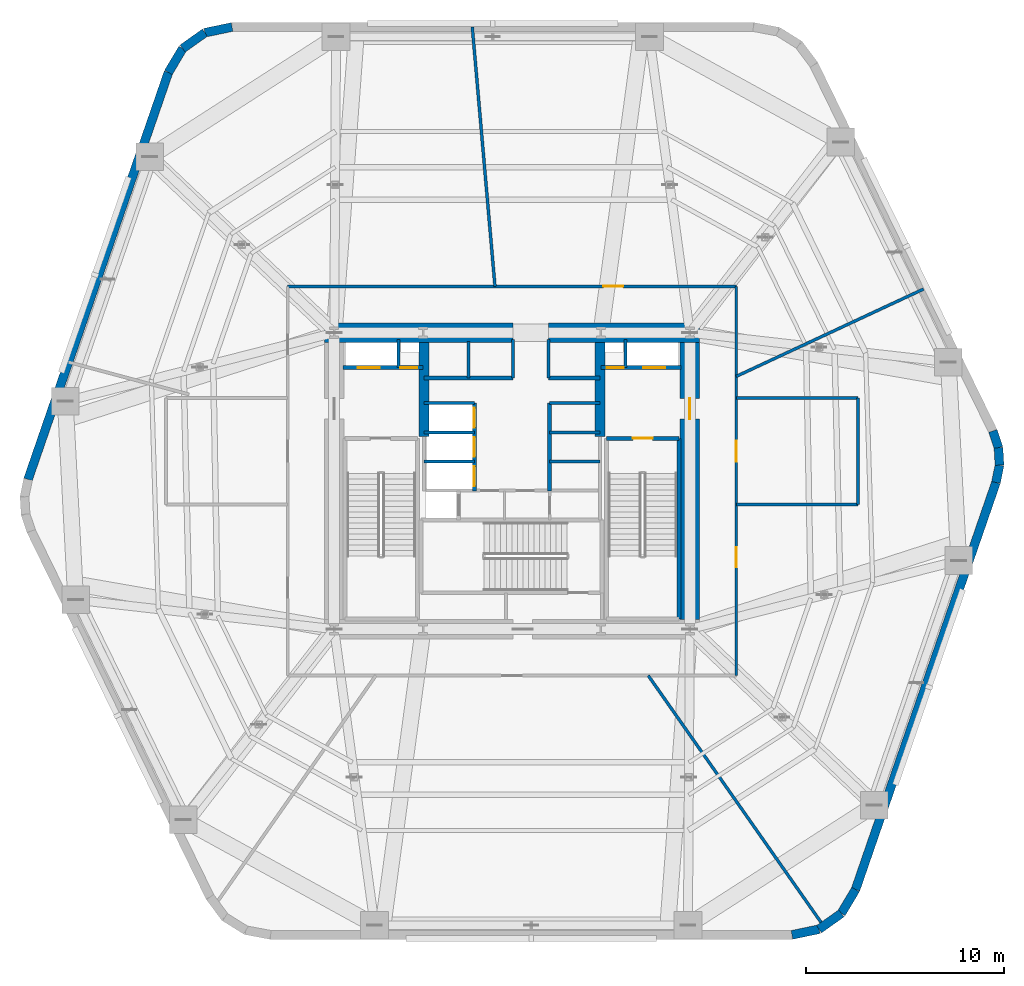
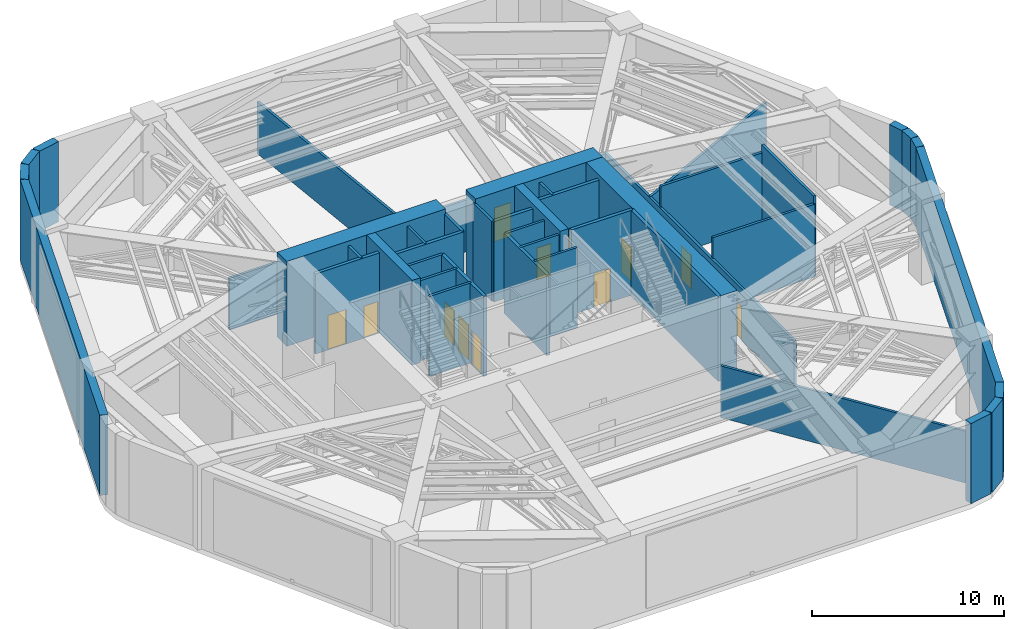
# One storey, part 7 of 11: 43 walls, 12 doors, 12 openings.
"""IFC4 building model written with IfcOpenShell, lengths in metres."""

import ifcopenshell
import ifcopenshell.guid

model = None  # the IFC model being written
_history = None  # IfcOwnerHistory: only IFC2X3 demands one
_inside = {}  # id of a spatial element -> (the spatial element, [elements in it])
_under = {}  # id of a project, library or spatial element -> (it, [spatial elements below it])
_declared = {}  # id of a project -> (the project, [libraries it declares])
_typed = {}  # id of a type object -> (the type object, [elements of that type])
_made_of = {}  # id of a material, layer set ... -> (it, [elements and type objects made of it])


def new_model(schema):
    """Start an empty IFC model of exactly this schema.

    Asked for "IFC4X3", IfcOpenShell would pick the latest addendum, in which some entities
    have other attributes; the version numbers below select the first issue.
    IFC2X3 requires an IfcOwnerHistory on every rooted entity: one is made here for all.
    """
    global model, _history
    if schema == "IFC4X3":
        model = ifcopenshell.file(schema_version=(4, 3, 0, 0))
    else:
        model = ifcopenshell.file(schema=schema)
    _inside.clear()
    _under.clear()
    _declared.clear()
    _typed.clear()
    _made_of.clear()
    _history = None
    if model.schema == "IFC2X3":
        org = make("IfcOrganization", Name="unknown")
        user = make(
            "IfcPersonAndOrganization",
            ThePerson=make("IfcPerson", FamilyName="unknown"),
            TheOrganization=org,
        )
        app = make(
            "IfcApplication",
            ApplicationDeveloper=org,
            Version="unknown",
            ApplicationFullName="unknown",
            ApplicationIdentifier="unknown",
        )
        _history = make(
            "IfcOwnerHistory",
            OwningUser=user,
            OwningApplication=app,
            ChangeAction="ADDED",
            CreationDate=0,
        )
    return model


def make(cls, **values):
    """One entity of the class cls with the attributes given. An attribute that is None is left unset."""
    return model.create_entity(
        cls, **{name: value for name, value in values.items() if value is not None}
    )


def rooted(cls, **values):
    """An entity with a GlobalId (a new one), such as an element, a storey or a relation."""
    return make(cls, GlobalId=ifcopenshell.guid.new(), OwnerHistory=_history, **values)


def si_unit(unit_type, name, prefix=None):
    """IfcSIUnit, for example si_unit("LENGTHUNIT", "METRE", prefix="MILLI")."""
    return make("IfcSIUnit", UnitType=unit_type, Prefix=prefix, Name=name)


def assignment(units):
    """IfcUnitAssignment: the units of a project."""
    return None if units is None else make("IfcUnitAssignment", Units=units)


def point(xyz):
    """IfcCartesianPoint."""
    return None if xyz is None else make("IfcCartesianPoint", Coordinates=xyz)


def direction(xyz):
    """IfcDirection."""
    return None if xyz is None else make("IfcDirection", DirectionRatios=xyz)


def frame(location, z_axis=None, x_axis=None):
    """IfcAxis2Placement3D, a coordinate frame: its origin and axes. An axis left out is left unset."""
    return make(
        "IfcAxis2Placement3D",
        Location=point(location),
        Axis=direction(z_axis),
        RefDirection=direction(x_axis),
    )


def frame_2d(location, x_axis=None):
    """IfcAxis2Placement2D, a coordinate frame in the plane: its origin and x axis."""
    return make(
        "IfcAxis2Placement2D", Location=point(location), RefDirection=direction(x_axis)
    )


def origin():
    """The frame at (0, 0, 0) with its axes left unset."""
    return frame((0.0, 0.0, 0.0))


def place(relative_to, where):
    """IfcLocalPlacement: puts the frame where relative to a parent placement (None: the world)."""
    return make(
        "IfcLocalPlacement", PlacementRelTo=relative_to, RelativePlacement=where
    )


def context(
    kind, dimensions, precision=None, world=None, true_north=None, identifier=None
):
    """IfcGeometricRepresentationContext, for example the 3D "Model" context."""
    return make(
        "IfcGeometricRepresentationContext",
        ContextIdentifier=identifier,
        ContextType=kind,
        CoordinateSpaceDimension=dimensions,
        Precision=precision,
        WorldCoordinateSystem=world,
        TrueNorth=true_north,
    )


def subcontext(parent, identifier, kind, view, scale=None):
    """IfcGeometricRepresentationSubContext, for example "Body" below "Model"."""
    return make(
        "IfcGeometricRepresentationSubContext",
        ContextIdentifier=identifier,
        ContextType=kind,
        ParentContext=parent,
        TargetScale=scale,
        TargetView=view,
    )


def project(units=None, contexts=None):
    """IfcProject with its units and contexts."""
    return rooted(
        "IfcProject",
        Name="project",
        RepresentationContexts=contexts,
        UnitsInContext=assignment(units),
    )


def spatial(cls, under=None, at=None, **own):
    """A site, building, storey or space (cls), placed at a placement, below another one or the project."""
    s = rooted(cls, ObjectPlacement=at, **own)
    if under is not None:
        _under.setdefault(under.id(), (under, []))[1].append(s)
    return s


def profile(cls, at=None, kind="AREA", **sizes):
    """A parametric profile (cls). Its sizes go by their IFC names, for example OverallWidth=200.0."""
    return make(cls, ProfileType=kind, Position=at, **sizes)


def rectangle(**sizes):
    """IfcRectangleProfileDef."""
    return profile("IfcRectangleProfileDef", **sizes)


def extrude(swept, where, along, depth):
    """IfcExtrudedAreaSolid: the profile swept, set in the frame where, extruded along a direction by depth."""
    return make(
        "IfcExtrudedAreaSolid",
        SweptArea=swept,
        Position=where,
        ExtrudedDirection=direction(along),
        Depth=depth,
    )


def shape(context_of_items, identifier, shape_type, items):
    """IfcShapeRepresentation: the items that make up one representation, for example the "Body"."""
    return make(
        "IfcShapeRepresentation",
        ContextOfItems=context_of_items,
        RepresentationIdentifier=identifier,
        RepresentationType=shape_type,
        Items=items,
    )


def material(Name=None, Category=None):
    """IfcMaterial."""
    return make("IfcMaterial", Name=Name, Category=Category)


def layer(
    of_material, thickness, ventilated=None, Name=None, Category=None, Priority=None
):
    """IfcMaterialLayer: one layer of a wall or slab, of a material (None: an air gap)."""
    return make(
        "IfcMaterialLayer",
        Material=of_material,
        LayerThickness=thickness,
        IsVentilated=ventilated,
        Name=Name,
        Category=Category,
        Priority=Priority,
    )


def layer_set(layers, Name=None):
    """IfcMaterialLayerSet."""
    return make("IfcMaterialLayerSet", MaterialLayers=layers, LayerSetName=Name)


def made_of(thing, what):
    """Note that an element or type object is made of a material, layer set ...; save() writes the relation."""
    if what is not None:
        _made_of.setdefault(what.id(), (what, []))[1].append(thing)
    return thing


def type_object(cls, material=None, **own):
    """A type object (cls), such as IfcWallType, which elements share."""
    return made_of(rooted(cls, **own), material)


def element(
    cls,
    number,
    at=None,
    inside=None,
    cuts=None,
    type_object=None,
    material=None,
    context=None,
    identifier="Body",
    shape_type=None,
    held_by="IfcProductDefinitionShape",
    body=None,
    shapes=None,
    **own,
):
    """One element of the class cls, such as IfcWall. Its Tag is "e" and its number.

    at: its placement. inside: the storey or other place that contains it. cuts: it is an
    opening in that element (IfcRelVoidsElement). A single representation is given by context,
    identifier, shape_type and body (its items); several are given by shapes. held_by: the class
    of the entity that holds the representations. save() writes the other relations.
    """
    e = rooted(cls, Tag="e%d" % number, ObjectPlacement=at, **own)
    if body is not None:
        shapes = [shape(context, identifier, shape_type, body)]
    if shapes is not None:
        e.Representation = make(held_by, Representations=shapes)
    if inside is not None:
        _inside.setdefault(inside.id(), (inside, []))[1].append(e)
    if cuts is not None:
        rooted(
            "IfcRelVoidsElement", RelatingBuildingElement=cuts, RelatedOpeningElement=e
        )
    if type_object is not None:
        _typed.setdefault(type_object.id(), (type_object, []))[1].append(e)
    return made_of(e, material)


def fill(opening, filler):
    """IfcRelFillsElement: the door or window that sits in an opening."""
    return rooted(
        "IfcRelFillsElement",
        RelatingOpeningElement=opening,
        RelatedBuildingElement=filler,
    )


def aggregate(whole, parts):
    """IfcRelAggregates: a whole, such as a stair, and the parts it consists of."""
    return rooted("IfcRelAggregates", RelatingObject=whole, RelatedObjects=parts)


def save(model, path):
    """Write the relations noted so far, then the file.

    IfcRelAggregates (storeys below a building ...), IfcRelContainedInSpatialStructure (elements
    in a storey), IfcRelDefinesByType, IfcRelAssociatesMaterial and IfcRelDeclares: one each for
    every whole, place, type object, material and project.
    """
    for whole, parts in _under.values():
        aggregate(whole, parts)
    for where, things in _inside.values():
        rooted(
            "IfcRelContainedInSpatialStructure",
            RelatedElements=things,
            RelatingStructure=where,
        )
    for kind, things in _typed.values():
        rooted("IfcRelDefinesByType", RelatedObjects=things, RelatingType=kind)
    for what, things in _made_of.values():
        rooted("IfcRelAssociatesMaterial", RelatedObjects=things, RelatingMaterial=what)
    for by, libraries in _declared.values():
        rooted("IfcRelDeclares", RelatingContext=by, RelatedDefinitions=libraries)
    model.write(path)


model = new_model("IFC4")

# Units and contexts
model_context = context("Model", 3, precision=1e-05, world=origin(), true_north=direction((0.0, 1.0)))
body_context = subcontext(model_context, "Body", "Model", "MODEL_VIEW")
ifc_project = project(units=[si_unit("LENGTHUNIT", "METRE"), si_unit("AREAUNIT", "SQUARE_METRE"), si_unit("VOLUMEUNIT", "CUBIC_METRE"), si_unit("PLANEANGLEUNIT", "RADIAN"), si_unit("MASSUNIT", "GRAM", prefix="KILO")], contexts=[model_context])

# Site, building, storey
site_placement = place(None, origin())
site = spatial("IfcSite", under=ifc_project, at=site_placement, CompositionType="ELEMENT")
building_placement = place(site_placement, origin())
building = spatial("IfcBuilding", under=site, at=building_placement, Name="Kilnhurst Terrace Hotel", CompositionType="ELEMENT")
storey_placement = place(building_placement, frame((0.0, 0.0, 86.0)))
storey = spatial("IfcBuildingStorey", under=building, at=storey_placement, Name="L20", CompositionType="ELEMENT", Elevation=86.0)

# Walls
ifc_material_1 = material(Name="Precast concrete C40/50", Category="concrete")
ifc_layer_1 = layer(ifc_material_1, 0.449951171875, Name="Precast concrete C40/50")
ifc_layer_set_1 = layer_set([ifc_layer_1], Name="Precast concrete C40/50")
wall_type_1 = type_object("IfcWallType", Name="WL-BRK-450", PredefinedType="SOLIDWALL", material=ifc_layer_set_1)
wall_1_placement = place(storey_placement, frame((14.168212890625, -22.97509765625, 0.0), z_axis=(0.0, 0.0, 1.0), x_axis=(0.978770371074, 0.204959900243, 0.0)))
element("IfcWall", 1, at=wall_1_placement, inside=storey, type_object=wall_type_1, Name="L20 Rounded Corner Brick Wall C2.1", PredefinedType="SOLIDWALL", context=body_context, shape_type="SweptSolid", body=[
    extrude(rectangle(XDim=1.405517578125, YDim=0.449951171875, at=frame_2d((0.70263671875, 0.0))), origin(), (0.0, 0.0, 1.0), 5.10009765625),
])
wall_2_placement = place(storey_placement, frame((15.5439453125, -22.68701171875, 0.0), z_axis=(0.0, 0.0, 1.0), x_axis=(0.814210854316, 0.580569276412, 0.0)))
element("IfcWall", 2, at=wall_2_placement, inside=storey, type_object=wall_type_1, Name="L20 Rounded Corner Brick Wall C2.2", PredefinedType="SOLIDWALL", context=body_context, shape_type="SweptSolid", body=[
    extrude(rectangle(XDim=1.38134765625, YDim=0.449951171875, at=frame_2d((0.690673828125, 0.0))), origin(), (0.0, 0.0, 1.0), 5.10009765625),
])
wall_3_placement = place(storey_placement, frame((16.668701171875, -21.885009765625, 0.0), z_axis=(0.0, 0.0, 1.0), x_axis=(0.512936712947, 0.858426425799, 0.0)))
element("IfcWall", 3, at=wall_3_placement, inside=storey, type_object=wall_type_1, Name="L20 Rounded Corner Brick Wall C2.3", PredefinedType="SOLIDWALL", context=body_context, shape_type="SweptSolid", body=[
    extrude(rectangle(XDim=1.405517578125, YDim=0.449951171875, at=frame_2d((0.70263671875, 0.0))), origin(), (0.0, 0.0, 1.0), 5.10009765625),
])
wall_4_placement = place(storey_placement, frame((24.49560546875, -0.07666015625, 0.0), z_axis=(0.0, 0.0, 1.0), x_axis=(0.199570594521, 0.979883451132, 0.0)))
element("IfcWall", 4, at=wall_4_placement, inside=storey, type_object=wall_type_1, Name="L20 Rounded Corner Brick Wall C3.1", PredefinedType="SOLIDWALL", context=body_context, shape_type="SweptSolid", body=[
    extrude(rectangle(XDim=0.896728515625, YDim=0.449951171875, at=frame_2d((0.4482421875, 0.0))), origin(), (0.0, 0.0, 1.0), 5.10009765625),
])
wall_5_placement = place(storey_placement, frame((24.674560546875, 0.802001953125, 0.0), z_axis=(0.0, 0.0, 1.0), x_axis=(-0.061188874166, 0.998126205286, 0.0)))
element("IfcWall", 5, at=wall_5_placement, inside=storey, type_object=wall_type_1, Name="L20 Rounded Corner Brick Wall C3.2", PredefinedType="SOLIDWALL", context=body_context, shape_type="SweptSolid", body=[
    extrude(rectangle(XDim=0.8818359375, YDim=0.449951171875, at=frame_2d((0.44091796875, 0.0))), origin(), (0.0, 0.0, 1.0), 5.10009765625),
])
wall_6_placement = place(storey_placement, frame((24.62060546875, 1.68212890625, 0.0), z_axis=(0.0, 0.0, 1.0), x_axis=(-0.317697451681, 0.948192137278, 0.0)))
element("IfcWall", 6, at=wall_6_placement, inside=storey, type_object=wall_type_1, Name="L20 Rounded Corner Brick Wall C3.3", PredefinedType="SOLIDWALL", context=body_context, shape_type="SweptSolid", body=[
    extrude(rectangle(XDim=0.896728515625, YDim=0.449951171875, at=frame_2d((0.4482421875, 0.0))), origin(), (0.0, 0.0, 1.0), 5.10009765625),
])
wall_7_placement = place(storey_placement, frame((-14.168212890625, 22.97509765625, 0.0), z_axis=(0.0, 0.0, 1.0), x_axis=(-0.978770371074, -0.204959900243, 0.0)))
element("IfcWall", 7, at=wall_7_placement, inside=storey, type_object=wall_type_1, Name="L20 Rounded Corner Brick Wall C5.1", PredefinedType="SOLIDWALL", context=body_context, shape_type="SweptSolid", body=[
    extrude(rectangle(XDim=1.405517578125, YDim=0.449951171875, at=frame_2d((0.70263671875, 0.0))), origin(), (0.0, 0.0, 1.0), 5.10009765625),
])
wall_8_placement = place(storey_placement, frame((-15.5439453125, 22.68701171875, 0.0), z_axis=(0.0, 0.0, 1.0), x_axis=(-0.814210854316, -0.580569276412, 0.0)))
element("IfcWall", 8, at=wall_8_placement, inside=storey, type_object=wall_type_1, Name="L20 Rounded Corner Brick Wall C5.2", PredefinedType="SOLIDWALL", context=body_context, shape_type="SweptSolid", body=[
    extrude(rectangle(XDim=1.38134765625, YDim=0.449951171875, at=frame_2d((0.690673828125, 0.0))), origin(), (0.0, 0.0, 1.0), 5.10009765625),
])
wall_9_placement = place(storey_placement, frame((-16.668701171875, 21.885009765625, 0.0), z_axis=(0.0, 0.0, 1.0), x_axis=(-0.512936712947, -0.858426425799, 0.0)))
element("IfcWall", 9, at=wall_9_placement, inside=storey, type_object=wall_type_1, Name="L20 Rounded Corner Brick Wall C5.3", PredefinedType="SOLIDWALL", context=body_context, shape_type="SweptSolid", body=[
    extrude(rectangle(XDim=1.405517578125, YDim=0.449951171875, at=frame_2d((0.70263671875, 0.0))), origin(), (0.0, 0.0, 1.0), 5.10009765625),
])
for number, where, z_axis, x_axis, name in (
    (10, (17.3896484375, -20.678466796875, 0.0), (0.0, 0.0, 1.0), (0.326068018294, 0.945346310854, 0.0), "L20 Exterior Brick Facade Wall F2"),
    (11, (-17.3896484375, 20.678466796875, 0.0), (0.0, 0.0, 1.0), (-0.326068018294, -0.945346310854, 0.0), "L20 Exterior Brick Facade Wall F5"),
):
    element("IfcWall", number, at=place(storey_placement, frame(where, z_axis=z_axis, x_axis=x_axis)), inside=storey, type_object=wall_type_1, Name=name, PredefinedType="SOLIDWALL", context=body_context, shape_type="SweptSolid", body=[
        extrude(rectangle(XDim=21.79296875, YDim=0.449951171875, at=frame_2d((10.896484375, 0.0))), origin(), (0.0, 0.0, 1.0), 5.10009765625),
    ])

# Wall, opening, door
ifc_material_2 = material(Name="Acoustic Double-Gypsum Corridor Partition Assembly")
ifc_layer_2 = layer(ifc_material_2, 0.14990234375, Name="Acoustic Double-Gypsum Corridor Partition Assembly")
ifc_layer_set_2 = layer_set([ifc_layer_2], Name="Acoustic Double-Gypsum Corridor Partition Assembly")
wall_type_2 = type_object("IfcWallType", Name="WL-COR-150", PredefinedType="PARTITIONING", material=ifc_layer_set_2)
wall_10_placement = place(storey_placement, frame((-11.35009765625, 9.85009765625, 0.0), z_axis=(0.0, 0.0, 1.0), x_axis=(1.0, 0.0, 0.0)))
wall_10 = element("IfcWall", 12, at=wall_10_placement, inside=storey, type_object=wall_type_2, Name="L20 Interior Wall WL-L20-COR-02", PredefinedType="PARTITIONING", context=body_context, shape_type="SweptSolid", body=[
    extrude(rectangle(XDim=22.7001953125, YDim=0.14990234375, at=frame_2d((11.35009765625, 0.0))), origin(), (0.0, 0.0, 1.0), 3.2900390625),
])
opening_1_placement = place(wall_10_placement, frame((15.97412109375, 0.0, 0.0)))
opening_1 = element("IfcOpeningElement", 13, at=opening_1_placement, cuts=wall_10, Name="Opening D-90B", PredefinedType="OPENING", context=body_context, shape_type="SweptSolid", body=[
    extrude(rectangle(XDim=1.0, YDim=2.14990234375, at=frame_2d((0.5, 1.074951171875))), frame((0.0, 0.0849609375, 0.0), z_axis=(0.0, -1.0, 0.0), x_axis=(1.0, 0.0, 0.0)), (0.0, 0.0, 1.0), 0.169921875),
])
ifc_material_3 = material(Name="Painted Hollow Metal Steel ASTM A36 Fire Door", Category="steel")
door_type_1 = type_object("IfcDoorType", Name="DR-FD90-1000", OperationType="NOTDEFINED", PredefinedType="DOOR", material=ifc_material_3)
door_1_placement = place(opening_1_placement, origin())
door_1 = element("IfcDoor", 14, at=door_1_placement, inside=storey, type_object=door_type_1, Name="L20 Chiller and Cooling Heat Exchanger Plant Room Door", OperationType="SINGLE_SWING_LEFT", OverallHeight=2.14990234375, OverallWidth=1.0, PredefinedType="DOOR", context=body_context, shape_type="SweptSolid", body=[
    extrude(rectangle(XDim=1.0, YDim=2.14990234375, at=frame_2d((0.5, 1.074951171875))), frame((0.0, 0.02490234375, 0.0), z_axis=(0.0, -1.0, 0.0), x_axis=(1.0, 0.0, 0.0)), (0.0, 0.0, 1.0), 0.050048828125),
])
fill(opening_1, door_1)

# Wall, openings, doors
wall_11_placement = place(storey_placement, frame((11.35009765625, 9.85009765625, 0.0), z_axis=(0.0, 0.0, 1.0), x_axis=(0.0, -1.0, 0.0)))
wall_11 = element("IfcWall", 15, at=wall_11_placement, inside=storey, type_object=wall_type_2, Name="L20 Interior Wall WL-L20-COR-03", PredefinedType="PARTITIONING", context=body_context, shape_type="SweptSolid", body=[
    extrude(rectangle(XDim=19.7001953125, YDim=0.14990234375, at=frame_2d((9.85009765625, 0.0))), origin(), (0.0, 0.0, 1.0), 3.2900390625),
])
opening_2_placement = place(wall_11_placement, frame((7.824951171875, 0.0, 0.0)))
opening_2 = element("IfcOpeningElement", 16, at=opening_2_placement, cuts=wall_11, Name="Opening D-90A", PredefinedType="OPENING", context=body_context, shape_type="SweptSolid", body=[
    extrude(rectangle(XDim=1.050048828125, YDim=2.14990234375, at=frame_2d((0.52490234375, 1.074951171875))), frame((0.0, 0.0849609375, 0.0), z_axis=(0.0, -1.0, 0.0), x_axis=(1.0, 0.0, 0.0)), (0.0, 0.0, 1.0), 0.169921875),
])
opening_3_placement = place(wall_11_placement, frame((13.20703125, 0.0, 0.0)))
opening_3 = element("IfcOpeningElement", 17, at=opening_3_placement, cuts=wall_11, Name="Opening D-90B", PredefinedType="OPENING", context=body_context, shape_type="SweptSolid", body=[
    extrude(rectangle(XDim=1.0, YDim=2.14990234375, at=frame_2d((0.5, 1.074951171875))), frame((0.0, 0.0849609375, 0.0), z_axis=(0.0, -1.0, 0.0), x_axis=(1.0, 0.0, 0.0)), (0.0, 0.0, 1.0), 0.169921875),
])
door_2_placement = place(opening_3_placement, origin())
door_2 = element("IfcDoor", 18, at=door_2_placement, inside=storey, type_object=door_type_1, Name="L20 Building Automation and Telecom Plant Room Door", OperationType="SINGLE_SWING_LEFT", OverallHeight=2.14990234375, OverallWidth=1.0, PredefinedType="DOOR", context=body_context, shape_type="SweptSolid", body=[
    extrude(rectangle(XDim=1.0, YDim=2.14990234375, at=frame_2d((0.5, 1.074951171875))), frame((0.0, 0.02490234375, 0.0), z_axis=(0.0, -1.0, 0.0), x_axis=(1.0, 0.0, 0.0)), (0.0, 0.0, 1.0), 0.050048828125),
])
fill(opening_3, door_2)
door_type_2 = type_object("IfcDoorType", Name="DR-FD90-1050", OperationType="NOTDEFINED", PredefinedType="DOOR", material=ifc_material_3)
door_3_placement = place(opening_2_placement, origin())
door_3 = element("IfcDoor", 19, at=door_3_placement, inside=storey, type_object=door_type_2, Name="L20 East Area of Refuge Door", OperationType="SINGLE_SWING_RIGHT", OverallHeight=2.14990234375, OverallWidth=1.050048828125, PredefinedType="DOOR", context=body_context, shape_type="SweptSolid", body=[
    extrude(rectangle(XDim=1.050048828125, YDim=2.14990234375, at=frame_2d((0.52490234375, 1.074951171875))), frame((0.0, 0.02490234375, 0.0), z_axis=(0.0, -1.0, 0.0), x_axis=(1.0, 0.0, 0.0)), (0.0, 0.0, 1.0), 0.050048828125),
])
fill(opening_2, door_3)

# Walls
for number, where, z_axis, x_axis, name in (
    (20, (11.35009765625, -1.199951171875, 0.0), (0.0, 0.0, 1.0), (1.0, 0.0, 0.0), "L20 Interior Wall WL-L20-REF-E-S"),
    (21, (11.35009765625, 4.199951171875, 0.0), (0.0, 0.0, 1.0), (1.0, 0.0, 0.0), "L20 Interior Wall WL-L20-REF-E-N"),
):
    element("IfcWall", number, at=place(storey_placement, frame(where, z_axis=z_axis, x_axis=x_axis)), inside=storey, type_object=wall_type_2, Name=name, PredefinedType="PARTITIONING", context=body_context, shape_type="SweptSolid", body=[
        extrude(rectangle(XDim=6.14990234375, YDim=0.14990234375, at=frame_2d((3.074951171875, 0.0))), origin(), (0.0, 0.0, 1.0), 4.62646484375),
    ])
wall_12_placement = place(storey_placement, frame((17.5, -1.199951171875, 0.0), z_axis=(0.0, 0.0, 1.0), x_axis=(0.0, 1.0, 0.0)))
element("IfcWall", 22, at=wall_12_placement, inside=storey, type_object=wall_type_2, Name="L20 Interior Wall WL-L20-REF-E-OUT", PredefinedType="PARTITIONING", context=body_context, shape_type="SweptSolid", body=[
    extrude(rectangle(XDim=5.39990234375, YDim=0.14990234375, at=frame_2d((2.699951171875, 0.0))), origin(), (0.0, 0.0, 1.0), 5.10009765625),
])
wall_13_placement = place(storey_placement, frame((11.35009765625, 5.29248046875, 0.0), z_axis=(0.0, 0.0, 1.0), x_axis=(0.906302978375, 0.422628573796, 0.0)))
element("IfcWall", 23, at=wall_13_placement, inside=storey, type_object=wall_type_2, Name="L20 Interior Wall WL-L20-PDIV-1-1", PredefinedType="PARTITIONING", context=body_context, shape_type="SweptSolid", body=[
    extrude(rectangle(XDim=10.458251953125, YDim=0.14990234375, at=frame_2d((5.22900390625, 0.0))), origin(), (0.0, 0.0, 1.0), 3.2900390625),
])
wall_14_placement = place(storey_placement, frame((-0.86181640625, 9.85009765625, 0.0), z_axis=(0.0, 0.0, 1.0), x_axis=(-0.087148560643, 0.996195326418, 0.0)))
element("IfcWall", 24, at=wall_14_placement, inside=storey, type_object=wall_type_2, Name="L20 Interior Wall WL-L20-PDIV-2-1", PredefinedType="PARTITIONING", context=body_context, shape_type="SweptSolid", body=[
    extrude(rectangle(XDim=13.175048828125, YDim=0.14990234375, at=frame_2d((6.58740234375, 0.0))), origin(), (0.0, 0.0, 1.0), 3.2900390625),
])
wall_15_placement = place(storey_placement, frame((6.89697265625, -9.85009765625, 0.0), z_axis=(0.0, 0.0, 1.0), x_axis=(0.573581114898, -0.819148768315, 0.0)))
element("IfcWall", 25, at=wall_15_placement, inside=storey, type_object=wall_type_2, Name="L20 Interior Wall WL-L20-PDIV-5-1", PredefinedType="PARTITIONING", context=body_context, shape_type="SweptSolid", body=[
    extrude(rectangle(XDim=15.3125, YDim=0.14990234375, at=frame_2d((7.65625, 0.0))), origin(), (0.0, 0.0, 1.0), 3.2900390625),
])
ifc_material_4 = material(Name="Concrete C80/95", Category="concrete")
ifc_layer_3 = layer(ifc_material_4, 1.0, Name="Concrete C80/95")
ifc_layer_set_3 = layer_set([ifc_layer_3], Name="Concrete C80/95")
wall_type_3 = type_object("IfcWallType", Name="WL-CORE-1000", PredefinedType="SHEAR", material=ifc_layer_set_3)
wall_16_placement = place(storey_placement, frame((-9.5, 7.5, 0.0), z_axis=(0.0, 0.0, 1.0), x_axis=(1.0, 0.0, 0.0)))
element("IfcWall", 26, at=wall_16_placement, inside=storey, type_object=wall_type_3, Name="L20 Core North West Shear Wall", PredefinedType="SHEAR", context=body_context, shape_type="SweptSolid", body=[
    extrude(rectangle(XDim=9.550048828125, YDim=1.0, at=frame_2d((4.77490234375, 0.0))), origin(), (0.0, 0.0, 1.0), 5.39990234375),
])
wall_17_placement = place(storey_placement, frame((1.85009765625, 7.5, 0.0), z_axis=(0.0, 0.0, 1.0), x_axis=(1.0, 0.0, 0.0)))
element("IfcWall", 27, at=wall_17_placement, inside=storey, type_object=wall_type_3, Name="L20 Core North East Shear Wall", PredefinedType="SHEAR", context=body_context, shape_type="SweptSolid", body=[
    extrude(rectangle(XDim=7.64990234375, YDim=1.0, at=frame_2d((3.824951171875, 0.0))), origin(), (0.0, 0.0, 1.0), 5.39990234375),
])

# Wall, opening, door
wall_18_placement = place(storey_placement, frame((9.0, -7.0, 0.0), z_axis=(0.0, 0.0, 1.0), x_axis=(0.0, 1.0, 0.0)))
wall_18 = element("IfcWall", 28, at=wall_18_placement, inside=storey, type_object=wall_type_3, Name="L20 Core East Shear Wall", PredefinedType="SHEAR", context=body_context, shape_type="SweptSolid", body=[
    extrude(rectangle(XDim=14.0, YDim=1.0, at=frame_2d((7.0, 0.0))), origin(), (0.0, 0.0, 1.0), 5.39990234375),
])
opening_4_placement = place(wall_18_placement, frame((10.125, 0.0, 0.0)))
opening_4 = element("IfcOpeningElement", 29, at=opening_4_placement, cuts=wall_18, Name="Opening D-90A", PredefinedType="OPENING", context=body_context, shape_type="SweptSolid", body=[
    extrude(rectangle(XDim=1.050048828125, YDim=2.14990234375, at=frame_2d((0.52490234375, 1.074951171875))), frame((0.0, 0.510009765625, 0.0), z_axis=(0.0, -1.0, 0.0), x_axis=(1.0, 0.0, 0.0)), (0.0, 0.0, 1.0), 1.02001953125),
])
door_4_placement = place(opening_4_placement, origin())
door_4 = element("IfcDoor", 30, at=door_4_placement, inside=storey, type_object=door_type_2, Name="L20 East Firefighting Lobby Door", OperationType="SINGLE_SWING_LEFT", OverallHeight=2.14990234375, OverallWidth=1.050048828125, PredefinedType="DOOR", context=body_context, shape_type="SweptSolid", body=[
    extrude(rectangle(XDim=1.050048828125, YDim=2.14990234375, at=frame_2d((0.52490234375, 1.074951171875))), frame((0.0, 0.02490234375, 0.0), z_axis=(0.0, -1.0, 0.0), x_axis=(1.0, 0.0, 0.0)), (0.0, 0.0, 1.0), 0.050048828125),
])
fill(opening_4, door_4)

# Walls
ifc_material_5 = material(Name="Concrete C60/75", Category="concrete")
ifc_layer_4 = layer(ifc_material_5, 0.5, Name="Concrete C60/75")
ifc_layer_set_4 = layer_set([ifc_layer_4], Name="Concrete C60/75")
wall_type_4 = type_object("IfcWallType", Name="WL-CORE-WEB-500", PredefinedType="SHEAR", material=ifc_layer_set_4)
for number, where, z_axis, x_axis, name in (
    (31, (-4.449951171875, 2.25, 0.0), (0.0, 0.0, 1.0), (0.0, 1.0, 0.0), "L20 Core Internal West Shear Web"),
    (32, (4.449951171875, 2.25, 0.0), (0.0, 0.0, 1.0), (0.0, 1.0, 0.0), "L20 Core Internal East Shear Web"),
):
    element("IfcWall", number, at=place(storey_placement, frame(where, z_axis=z_axis, x_axis=x_axis)), inside=storey, type_object=wall_type_4, Name=name, PredefinedType="SHEAR", context=body_context, shape_type="SweptSolid", body=[
        extrude(rectangle(XDim=4.75, YDim=0.5, at=frame_2d((2.375, 0.0))), origin(), (0.0, 0.0, 1.0), 5.39990234375),
    ])
ifc_material_6 = material(Name="Fire-Rated Gypsum Shaftliner Assembly")
ifc_layer_5 = layer(ifc_material_6, 0.14990234375, Name="Fire-Rated Gypsum Shaftliner Assembly")
ifc_layer_set_5 = layer_set([ifc_layer_5], Name="Fire-Rated Gypsum Shaftliner Assembly")
wall_type_5 = type_object("IfcWallType", Name="WL-SHAFT-150", PredefinedType="PARTITIONING", material=ifc_layer_set_5)
for number, where, z_axis, x_axis, name in (
    (33, (-5.75, 5.739990234375, 0.0), (0.0, 0.0, 1.0), (0.0, 1.0, 0.0), "L20 Interior Wall WL-L20-RIS1-DIV"),
    (34, (5.75, 5.739990234375, 0.0), (0.0, 0.0, 1.0), (0.0, 1.0, 0.0), "L20 Interior Wall WL-L20-RIS2-DIV"),
):
    element("IfcWall", number, at=place(storey_placement, frame(where, z_axis=z_axis, x_axis=x_axis)), inside=storey, type_object=wall_type_5, Name=name, PredefinedType="PARTITIONING", context=body_context, shape_type="SweptSolid", body=[
        extrude(rectangle(XDim=1.409912109375, YDim=0.14990234375, at=frame_2d((0.705078125, 0.0))), origin(), (0.0, 0.0, 1.0), 5.10009765625),
    ])
wall_19_placement = place(storey_placement, frame((-2.199951171875, 5.199951171875, 0.0), z_axis=(0.0, 0.0, 1.0), x_axis=(0.0, 1.0, 0.0)))
element("IfcWall", 35, at=wall_19_placement, inside=storey, type_object=wall_type_5, Name="L20 Interior Wall WL-L20-HR-DIV1", PredefinedType="PARTITIONING", context=body_context, shape_type="SweptSolid", body=[
    extrude(rectangle(XDim=1.85009765625, YDim=0.14990234375, at=frame_2d((0.925048828125, 0.0))), origin(), (0.0, 0.0, 1.0), 5.10009765625),
])
for number, where, z_axis, x_axis, name in (
    (36, (0.050048828125, 5.199951171875, 0.0), (0.0, 0.0, 1.0), (0.0, 1.0, 0.0), "L20 Interior Wall WL-L20-HR-PORTAL-W"),
    (37, (1.85009765625, 5.199951171875, 0.0), (0.0, 0.0, 1.0), (0.0, 1.0, 0.0), "L20 Interior Wall WL-L20-HR-PORTAL-E"),
):
    element("IfcWall", number, at=place(storey_placement, frame(where, z_axis=z_axis, x_axis=x_axis)), inside=storey, type_object=wall_type_5, Name=name, PredefinedType="PARTITIONING", context=body_context, shape_type="SweptSolid", body=[
        extrude(rectangle(XDim=1.949951171875, YDim=0.14990234375, at=frame_2d((0.97509765625, 0.0))), origin(), (0.0, 0.0, 1.0), 5.10009765625),
    ])
for number, where, z_axis, x_axis, name in (
    (38, (-4.449951171875, 3.93994140625, 0.0), (0.0, 0.0, 1.0), (1.0, 0.0, 0.0), "L20 Interior Wall WL-L20-LR-NORTH"),
    (39, (-4.449951171875, 0.97998046875, 0.0), (0.0, 0.0, 1.0), (1.0, 0.0, 0.0), "L20 Interior Wall WL-L20-LR-D1"),
    (40, (-4.449951171875, 2.4599609375, 0.0), (0.0, 0.0, 1.0), (1.0, 0.0, 0.0), "L20 Interior Wall WL-L20-LR-D2"),
    (41, (1.89990234375, 3.93994140625, 0.0), (0.0, 0.0, 1.0), (1.0, 0.0, 0.0), "L20 Interior Wall WL-L20-MR-NORTH"),
    (42, (1.89990234375, 0.97998046875, 0.0), (0.0, 0.0, 1.0), (1.0, 0.0, 0.0), "L20 Interior Wall WL-L20-MR-D1"),
    (43, (1.89990234375, 2.4599609375, 0.0), (0.0, 0.0, 1.0), (1.0, 0.0, 0.0), "L20 Interior Wall WL-L20-MR-D2"),
):
    element("IfcWall", number, at=place(storey_placement, frame(where, z_axis=z_axis, x_axis=x_axis)), inside=storey, type_object=wall_type_5, Name=name, PredefinedType="PARTITIONING", context=body_context, shape_type="SweptSolid", body=[
        extrude(rectangle(XDim=2.550048828125, YDim=0.14990234375, at=frame_2d((1.27490234375, 0.0))), origin(), (0.0, 0.0, 1.0), 5.10009765625),
    ])

# Wall, openings, doors
ifc_material_7 = material(Name="Autoclaved Aerated Concrete C30/37 and Gypsum Shaft Assembly", Category="concrete")
ifc_layer_6 = layer(ifc_material_7, 0.199951171875, Name="Autoclaved Aerated Concrete C30/37 and Gypsum Shaft Assembly")
ifc_layer_set_6 = layer_set([ifc_layer_6], Name="Autoclaved Aerated Concrete C30/37 and Gypsum Shaft Assembly")
wall_type_6 = type_object("IfcWallType", Name="WL-SHAFT-200", PredefinedType="PARTITIONING", material=ifc_layer_set_6)
wall_20_placement = place(storey_placement, frame((-8.550048828125, 5.739990234375, 0.0), z_axis=(0.0, 0.0, 1.0), x_axis=(1.0, 0.0, 0.0)))
wall_20 = element("IfcWall", 44, at=wall_20_placement, inside=storey, type_object=wall_type_6, Name="L20 Interior Wall WL-L20-FSAE1-S", PredefinedType="PARTITIONING", context=body_context, shape_type="SweptSolid", body=[
    extrude(rectangle(XDim=4.050048828125, YDim=0.199951171875, at=frame_2d((2.02490234375, 0.0))), origin(), (0.0, 0.0, 1.0), 5.10009765625),
])
opening_5_placement = place(wall_20_placement, frame((0.75, 0.0, 0.0)))
opening_5 = element("IfcOpeningElement", 45, at=opening_5_placement, cuts=wall_20, Name="Opening LD-F1", PredefinedType="OPENING", context=body_context, shape_type="SweptSolid", body=[
    extrude(rectangle(XDim=1.10009765625, YDim=2.199951171875, at=frame_2d((0.550048828125, 1.10009765625))), frame((0.0, 0.10986328125, 0.0), z_axis=(0.0, -1.0, 0.0), x_axis=(1.0, 0.0, 0.0)), (0.0, 0.0, 1.0), 0.219970703125),
])
opening_6_placement = place(wall_20_placement, frame((2.89990234375, 0.0, 0.0)))
opening_6 = element("IfcOpeningElement", 46, at=opening_6_placement, cuts=wall_20, Name="Opening D-60D", PredefinedType="OPENING", context=body_context, shape_type="SweptSolid", body=[
    extrude(rectangle(XDim=0.85009765625, YDim=2.030029296875, at=frame_2d((0.425048828125, 1.01513671875))), frame((0.0, 0.10986328125, 0.0), z_axis=(0.0, -1.0, 0.0), x_axis=(1.0, 0.0, 0.0)), (0.0, 0.0, 1.0), 0.219970703125),
])
ifc_material_8 = material(Name="Painted Hollow Metal Steel ASTM A36 Riser Door", Category="steel")
door_type_3 = type_object("IfcDoorType", Name="DR-FD60-850", OperationType="NOTDEFINED", PredefinedType="DOOR", material=ifc_material_8)
door_5_placement = place(opening_6_placement, origin())
door_5 = element("IfcDoor", 47, at=door_5_placement, inside=storey, type_object=door_type_3, Name="L20 Electrical Riser Door", OperationType="SINGLE_SWING_LEFT", OverallHeight=2.030029296875, OverallWidth=0.85009765625, PredefinedType="DOOR", context=body_context, shape_type="SweptSolid", body=[
    extrude(rectangle(XDim=0.85009765625, YDim=2.030029296875, at=frame_2d((0.425048828125, 1.01513671875))), frame((0.0, 0.02490234375, 0.0), z_axis=(0.0, -1.0, 0.0), x_axis=(1.0, 0.0, 0.0)), (0.0, 0.0, 1.0), 0.050048828125),
])
fill(opening_6, door_5)
ifc_material_9 = material(Name="Bronze-Anodized Stainless Steel AISI 316L Sliding Door", Category="steel")
door_type_4 = type_object("IfcDoorType", Name="DR-LIFT-1100", OperationType="NOTDEFINED", PredefinedType="DOOR", material=ifc_material_9)
door_6_placement = place(opening_5_placement, origin())
door_6 = element("IfcDoor", 48, at=door_6_placement, inside=storey, type_object=door_type_4, Name="L20 FSAE-1 Landing Door", OperationType="SLIDING_TO_LEFT", OverallHeight=2.199951171875, OverallWidth=1.10009765625, PredefinedType="DOOR", context=body_context, shape_type="SweptSolid", body=[
    extrude(rectangle(XDim=1.10009765625, YDim=2.199951171875, at=frame_2d((0.550048828125, 1.10009765625))), frame((0.0, 0.02490234375, 0.0), z_axis=(0.0, -1.0, 0.0), x_axis=(1.0, 0.0, 0.0)), (0.0, 0.0, 1.0), 0.050048828125),
])
fill(opening_5, door_6)

wall_21_placement = place(storey_placement, frame((4.5, 5.739990234375, 0.0), z_axis=(0.0, 0.0, 1.0), x_axis=(1.0, 0.0, 0.0)))
wall_21 = element("IfcWall", 49, at=wall_21_placement, inside=storey, type_object=wall_type_6, Name="L20 Interior Wall WL-L20-FSAE2-S", PredefinedType="PARTITIONING", context=body_context, shape_type="SweptSolid", body=[
    extrude(rectangle(XDim=4.050048828125, YDim=0.199951171875, at=frame_2d((2.02490234375, 0.0))), origin(), (0.0, 0.0, 1.0), 5.10009765625),
])
opening_7_placement = place(wall_21_placement, frame((0.300048828125, 0.0, 0.0)))
opening_7 = element("IfcOpeningElement", 50, at=opening_7_placement, cuts=wall_21, Name="Opening D-60D", PredefinedType="OPENING", context=body_context, shape_type="SweptSolid", body=[
    extrude(rectangle(XDim=0.85009765625, YDim=2.030029296875, at=frame_2d((0.425048828125, 1.01513671875))), frame((0.0, 0.10986328125, 0.0), z_axis=(0.0, -1.0, 0.0), x_axis=(1.0, 0.0, 0.0)), (0.0, 0.0, 1.0), 0.219970703125),
])
opening_8_placement = place(wall_21_placement, frame((2.14990234375, 0.0, 0.0)))
opening_8 = element("IfcOpeningElement", 51, at=opening_8_placement, cuts=wall_21, Name="Opening LD-F2", PredefinedType="OPENING", context=body_context, shape_type="SweptSolid", body=[
    extrude(rectangle(XDim=1.10009765625, YDim=2.199951171875, at=frame_2d((0.550048828125, 1.10009765625))), frame((0.0, 0.10986328125, 0.0), z_axis=(0.0, -1.0, 0.0), x_axis=(1.0, 0.0, 0.0)), (0.0, 0.0, 1.0), 0.219970703125),
])
door_7_placement = place(opening_7_placement, origin())
door_7 = element("IfcDoor", 52, at=door_7_placement, inside=storey, type_object=door_type_3, Name="L20 Telecom Riser Door", OperationType="SINGLE_SWING_RIGHT", OverallHeight=2.030029296875, OverallWidth=0.85009765625, PredefinedType="DOOR", context=body_context, shape_type="SweptSolid", body=[
    extrude(rectangle(XDim=0.85009765625, YDim=2.030029296875, at=frame_2d((0.425048828125, 1.01513671875))), frame((0.0, 0.02490234375, 0.0), z_axis=(0.0, -1.0, 0.0), x_axis=(1.0, 0.0, 0.0)), (0.0, 0.0, 1.0), 0.050048828125),
])
fill(opening_7, door_7)
door_8_placement = place(opening_8_placement, origin())
door_8 = element("IfcDoor", 53, at=door_8_placement, inside=storey, type_object=door_type_4, Name="L20 FSAE-2 Landing Door", OperationType="SLIDING_TO_RIGHT", OverallHeight=2.199951171875, OverallWidth=1.10009765625, PredefinedType="DOOR", context=body_context, shape_type="SweptSolid", body=[
    extrude(rectangle(XDim=1.10009765625, YDim=2.199951171875, at=frame_2d((0.550048828125, 1.10009765625))), frame((0.0, 0.02490234375, 0.0), z_axis=(0.0, -1.0, 0.0), x_axis=(1.0, 0.0, 0.0)), (0.0, 0.0, 1.0), 0.050048828125),
])
fill(opening_8, door_8)

# Walls
wall_22_placement = place(storey_placement, frame((-4.449951171875, 5.199951171875, 0.0), z_axis=(0.0, 0.0, 1.0), x_axis=(1.0, 0.0, 0.0)))
element("IfcWall", 54, at=wall_22_placement, inside=storey, type_object=wall_type_6, Name="L20 Interior Wall WL-L20-HR-SW", PredefinedType="PARTITIONING", context=body_context, shape_type="SweptSolid", body=[
    extrude(rectangle(XDim=4.5, YDim=0.199951171875, at=frame_2d((2.25, 0.0))), origin(), (0.0, 0.0, 1.0), 5.10009765625),
])
wall_23_placement = place(storey_placement, frame((1.85009765625, 5.199951171875, 0.0), z_axis=(0.0, 0.0, 1.0), x_axis=(1.0, 0.0, 0.0)))
element("IfcWall", 55, at=wall_23_placement, inside=storey, type_object=wall_type_6, Name="L20 Interior Wall WL-L20-HR-SE", PredefinedType="PARTITIONING", context=body_context, shape_type="SweptSolid", body=[
    extrude(rectangle(XDim=2.599853515625, YDim=0.199951171875, at=frame_2d((1.2998046875, 0.0))), origin(), (0.0, 0.0, 1.0), 5.10009765625),
])

# Wall, openings, doors
wall_24_placement = place(storey_placement, frame((-1.89990234375, -0.5, 0.0), z_axis=(0.0, 0.0, 1.0), x_axis=(0.0, 1.0, 0.0)))
wall_24 = element("IfcWall", 56, at=wall_24_placement, inside=storey, type_object=wall_type_6, Name="L20 Interior Wall WL-L20-LR-FRONT", PredefinedType="PARTITIONING", context=body_context, shape_type="SweptSolid", body=[
    extrude(rectangle(XDim=4.43994140625, YDim=0.199951171875, at=frame_2d((2.219970703125, 0.0))), origin(), (0.0, 0.0, 1.0), 5.10009765625),
])
opening_9_placement = place(wall_24_placement, frame((0.239990234375, 0.0, 0.0)))
opening_9 = element("IfcOpeningElement", 57, at=opening_9_placement, cuts=wall_24, Name="Opening LD-LR", PredefinedType="OPENING", context=body_context, shape_type="SweptSolid", body=[
    extrude(rectangle(XDim=1.0, YDim=2.199951171875, at=frame_2d((0.5, 1.10009765625))), frame((0.0, 0.10986328125, 0.0), z_axis=(0.0, -1.0, 0.0), x_axis=(1.0, 0.0, 0.0)), (0.0, 0.0, 1.0), 0.219970703125),
])
opening_10_placement = place(wall_24_placement, frame((1.719970703125, 0.0, 0.0)))
opening_10 = element("IfcOpeningElement", 58, at=opening_10_placement, cuts=wall_24, Name="Opening LD-LR", PredefinedType="OPENING", context=body_context, shape_type="SweptSolid", body=[
    extrude(rectangle(XDim=1.0, YDim=2.199951171875, at=frame_2d((0.5, 1.10009765625))), frame((0.0, 0.10986328125, 0.0), z_axis=(0.0, -1.0, 0.0), x_axis=(1.0, 0.0, 0.0)), (0.0, 0.0, 1.0), 0.219970703125),
])
opening_11_placement = place(wall_24_placement, frame((3.199951171875, 0.0, 0.0)))
opening_11 = element("IfcOpeningElement", 59, at=opening_11_placement, cuts=wall_24, Name="Opening LD-LR", PredefinedType="OPENING", context=body_context, shape_type="SweptSolid", body=[
    extrude(rectangle(XDim=1.0, YDim=2.199951171875, at=frame_2d((0.5, 1.10009765625))), frame((0.0, 0.10986328125, 0.0), z_axis=(0.0, -1.0, 0.0), x_axis=(1.0, 0.0, 0.0)), (0.0, 0.0, 1.0), 0.219970703125),
])
door_type_5 = type_object("IfcDoorType", Name="DR-LIFT-1000", OperationType="NOTDEFINED", PredefinedType="DOOR", material=ifc_material_9)
door_9_placement = place(opening_9_placement, origin())
door_9 = element("IfcDoor", 60, at=door_9_placement, inside=storey, type_object=door_type_5, Name="L20 Low Rise Lift LR-1 Landing Door", OperationType="SLIDING_TO_LEFT", OverallHeight=2.199951171875, OverallWidth=1.0, PredefinedType="DOOR", context=body_context, shape_type="SweptSolid", body=[
    extrude(rectangle(XDim=1.0, YDim=2.199951171875, at=frame_2d((0.5, 1.10009765625))), frame((0.0, 0.02490234375, 0.0), z_axis=(0.0, -1.0, 0.0), x_axis=(1.0, 0.0, 0.0)), (0.0, 0.0, 1.0), 0.050048828125),
])
fill(opening_9, door_9)
door_10_placement = place(opening_10_placement, origin())
door_10 = element("IfcDoor", 61, at=door_10_placement, inside=storey, type_object=door_type_5, Name="L20 Low Rise Lift LR-2 Landing Door", OperationType="SLIDING_TO_LEFT", OverallHeight=2.199951171875, OverallWidth=1.0, PredefinedType="DOOR", context=body_context, shape_type="SweptSolid", body=[
    extrude(rectangle(XDim=1.0, YDim=2.199951171875, at=frame_2d((0.5, 1.10009765625))), frame((0.0, 0.02490234375, 0.0), z_axis=(0.0, -1.0, 0.0), x_axis=(1.0, 0.0, 0.0)), (0.0, 0.0, 1.0), 0.050048828125),
])
fill(opening_10, door_10)
door_11_placement = place(opening_11_placement, origin())
door_11 = element("IfcDoor", 62, at=door_11_placement, inside=storey, type_object=door_type_5, Name="L20 Low Rise Lift LR-3 Landing Door", OperationType="SLIDING_TO_LEFT", OverallHeight=2.199951171875, OverallWidth=1.0, PredefinedType="DOOR", context=body_context, shape_type="SweptSolid", body=[
    extrude(rectangle(XDim=1.0, YDim=2.199951171875, at=frame_2d((0.5, 1.10009765625))), frame((0.0, 0.02490234375, 0.0), z_axis=(0.0, -1.0, 0.0), x_axis=(1.0, 0.0, 0.0)), (0.0, 0.0, 1.0), 0.050048828125),
])
fill(opening_11, door_11)

# Walls
wall_25_placement = place(storey_placement, frame((1.89990234375, -0.5, 0.0), z_axis=(0.0, 0.0, 1.0), x_axis=(0.0, 1.0, 0.0)))
element("IfcWall", 63, at=wall_25_placement, inside=storey, type_object=wall_type_6, Name="L20 Interior Wall WL-L20-MR-FRONT", PredefinedType="PARTITIONING", context=body_context, shape_type="SweptSolid", body=[
    extrude(rectangle(XDim=4.43994140625, YDim=0.199951171875, at=frame_2d((2.219970703125, 0.0))), origin(), (0.0, 0.0, 1.0), 5.10009765625),
])
ifc_material_10 = material(Name="Concrete C50/60", Category="concrete")
ifc_layer_7 = layer(ifc_material_10, 0.199951171875, Name="Concrete C50/60")
ifc_layer_set_7 = layer_set([ifc_layer_7], Name="Concrete C50/60")
wall_type_7 = type_object("IfcWallType", Name="WL-STAIR-RC-200", PredefinedType="SHEAR", material=ifc_layer_set_7)
wall_26_placement = place(storey_placement, frame((8.4580078125, -6.985107421875, 0.0), z_axis=(0.0, 0.0, 1.0), x_axis=(0.0, 1.0, 0.0)))
element("IfcWall", 64, at=wall_26_placement, inside=storey, type_object=wall_type_7, Name="L20 Structural Stair Shaft Wall WL-L20-ST2-E", PredefinedType="SHEAR", context=body_context, shape_type="SweptSolid", body=[
    extrude(rectangle(XDim=9.14306640625, YDim=0.199951171875, at=frame_2d((4.571533203125, 0.0))), origin(), (0.0, 0.0, 1.0), 5.39990234375),
])

# Wall, opening, door
wall_27_placement = place(storey_placement, frame((4.77197265625, 2.157958984375, 0.0), z_axis=(0.0, 0.0, 1.0), x_axis=(1.0, 0.0, 0.0)))
wall_27 = element("IfcWall", 65, at=wall_27_placement, inside=storey, type_object=wall_type_7, Name="L20 Structural Stair Shaft Wall WL-L20-ST2-N", PredefinedType="SHEAR", context=body_context, shape_type="SweptSolid", body=[
    extrude(rectangle(XDim=3.68603515625, YDim=0.199951171875, at=frame_2d((1.843017578125, 0.0))), origin(), (0.0, 0.0, 1.0), 5.39990234375),
])
opening_12_placement = place(wall_27_placement, frame((1.35009765625, 0.0, 0.0)))
opening_12 = element("IfcOpeningElement", 66, at=opening_12_placement, cuts=wall_27, Name="Opening D-90B", PredefinedType="OPENING", context=body_context, shape_type="SweptSolid", body=[
    extrude(rectangle(XDim=1.0, YDim=2.14990234375, at=frame_2d((0.5, 1.074951171875))), frame((0.0, 0.10986328125, 0.0), z_axis=(0.0, -1.0, 0.0), x_axis=(1.0, 0.0, 0.0)), (0.0, 0.0, 1.0), 0.219970703125),
])
door_12_placement = place(opening_12_placement, origin())
door_12 = element("IfcDoor", 67, at=door_12_placement, inside=storey, type_object=door_type_1, Name="L20 Stair ST-2 Door", OperationType="SINGLE_SWING_RIGHT", OverallHeight=2.14990234375, OverallWidth=1.0, PredefinedType="DOOR", context=body_context, shape_type="SweptSolid", body=[
    extrude(rectangle(XDim=1.0, YDim=2.14990234375, at=frame_2d((0.5, 1.074951171875))), frame((0.0, 0.02490234375, 0.0), z_axis=(0.0, -1.0, 0.0), x_axis=(1.0, 0.0, 0.0)), (0.0, 0.0, 1.0), 0.050048828125),
])
fill(opening_12, door_12)

save(model, "model.ifc")
